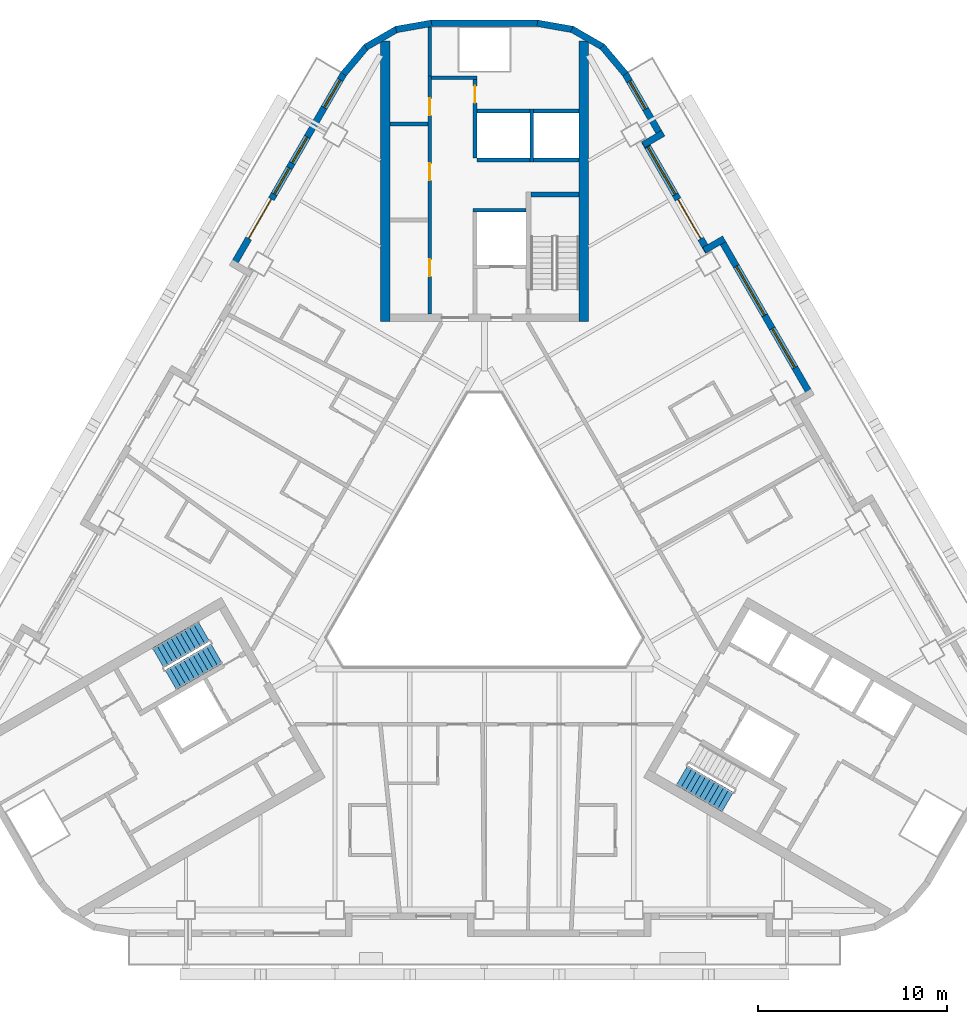
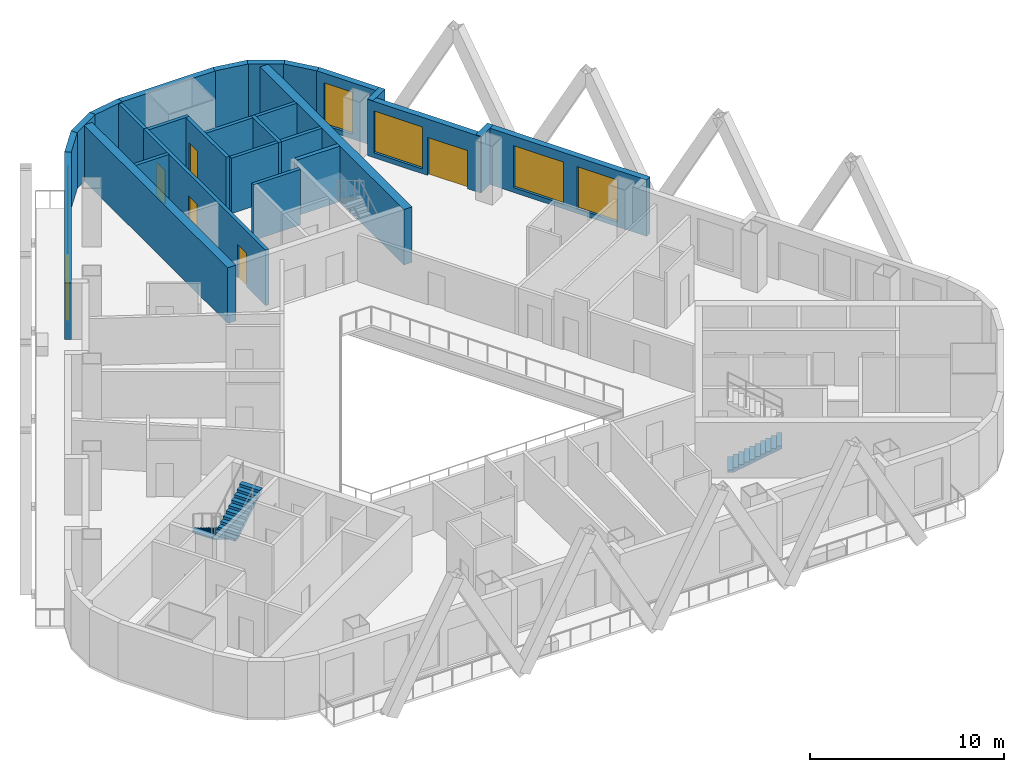
# One storey, part 7 of 14: 27 walls, 7 windows, 6 doors, 3 stair flights, 13 openings, 2 elements without a shape of their own.
"""IFC4 building model written with IfcOpenShell, lengths in metres."""

from ifc_helpers import new_model, si_unit, direction, frame, frame_2d, origin, place, context, subcontext, project, spatial, polyline, rectangle, outline, extrude, material, layer, layer_set, type_object, element, fill, aggregate, save


model = new_model("IFC4")

# Units and contexts
model_context = context("Model", 3, precision=1e-05, world=origin(), true_north=direction((0.0, 1.0)))
body_context = subcontext(model_context, "Body", "Model", "MODEL_VIEW")
ifc_project = project(units=[si_unit("LENGTHUNIT", "METRE"), si_unit("AREAUNIT", "SQUARE_METRE"), si_unit("VOLUMEUNIT", "CUBIC_METRE"), si_unit("PLANEANGLEUNIT", "RADIAN"), si_unit("MASSUNIT", "GRAM", prefix="KILO")], contexts=[model_context])

# Site, building, storey
site_placement = place(None, origin())
site = spatial("IfcSite", under=ifc_project, at=site_placement, CompositionType="ELEMENT")
building_placement = place(site_placement, origin())
building = spatial("IfcBuilding", under=site, at=building_placement, Name="Apuvela Tower Hotel", CompositionType="ELEMENT")
storey_placement = place(building_placement, frame((0.0, 0.0, 76.10009765625)))
storey = spatial("IfcBuildingStorey", under=building, at=storey_placement, Name="L16", CompositionType="ELEMENT", Elevation=76.10009765625)

# Walls
ifc_material_1 = material(Name="Concrete C50/60", Category="concrete")
ifc_layer_1 = layer(ifc_material_1, 0.5)
ifc_layer_set_1 = layer_set([ifc_layer_1], Name="COR-WALL-CORE-500")
wall_type_1 = type_object("IfcWallType", Name="COR-WALL-CORE-500", PredefinedType="SHEAR", material=ifc_layer_set_1)
for number, where, z_axis, x_axis, name in (
    (1, (5.25, 12.89990234375, 0.0), (0.0, 0.0, 1.0), (0.0, 1.0, 0.0), "Core wall N"),
    (2, (-5.25, 12.89990234375, 0.0), (0.0, 0.0, 1.0), (0.0, 1.0, 0.0), "Core wall N"),
):
    element("IfcWall", number, at=place(storey_placement, frame(where, z_axis=z_axis, x_axis=x_axis)), inside=storey, type_object=wall_type_1, Name=name, PredefinedType="SHEAR", context=body_context, shape_type="SweptSolid", body=[
        extrude(rectangle(XDim=14.8369140625, YDim=0.5, at=frame_2d((7.41845703125, 0.0))), origin(), (0.0, 0.0, 1.0), 3.5),
    ])
ifc_material_2 = material(Name="Blockwork 200 mm plastered", Category="masonry")
ifc_layer_2 = layer(ifc_material_2, 0.199951171875)
ifc_layer_set_2 = layer_set([ifc_layer_2], Name="COR-WALL-PART-200")
wall_type_2 = type_object("IfcWallType", Name="COR-WALL-PART-200", PredefinedType="PARTITIONING", material=ifc_layer_set_2)
wall_1_placement = place(storey_placement, frame((5.0, 21.449951171875, 0.0), z_axis=(0.0, 0.0, 1.0), x_axis=(-1.0, 0.0, 0.0)))
element("IfcWall", 3, at=wall_1_placement, inside=storey, type_object=wall_type_2, Name="Partition N", PredefinedType="PARTITIONING", context=body_context, shape_type="SweptSolid", body=[
    extrude(rectangle(XDim=2.39990234375, YDim=0.199951171875, at=frame_2d((1.199951171875, 0.0))), origin(), (0.0, 0.0, 1.0), 3.5),
])
wall_2_placement = place(storey_placement, frame((2.39990234375, 21.449951171875, 0.0), z_axis=(0.0, 0.0, 1.0), x_axis=(-1.0, 0.0, 0.0)))
element("IfcWall", 4, at=wall_2_placement, inside=storey, type_object=wall_type_2, Name="Partition N", PredefinedType="PARTITIONING", context=body_context, shape_type="SweptSolid", body=[
    extrude(rectangle(XDim=2.7998046875, YDim=0.199951171875, at=frame_2d((1.39990234375, 0.0))), origin(), (0.0, 0.0, 1.0), 3.5),
])
ifc_layer_3 = layer(ifc_material_1, 0.199951171875)
ifc_layer_set_3 = layer_set([ifc_layer_3], Name="COR-WALL-SHAFT-200")
wall_type_3 = type_object("IfcWallType", Name="COR-WALL-SHAFT-200", PredefinedType="SHEAR", material=ifc_layer_set_3)
wall_3_placement = place(storey_placement, frame((2.199951171875, 18.800048828125, 0.0), z_axis=(0.0, 0.0, 1.0), x_axis=(-1.0, 0.0, 0.0)))
element("IfcWall", 5, at=wall_3_placement, inside=storey, type_object=wall_type_3, Name="Shaft wall N", PredefinedType="SHEAR", context=body_context, shape_type="SweptSolid", body=[
    extrude(rectangle(XDim=2.800048828125, YDim=0.199951171875, at=frame_2d((1.39990234375, 0.0))), origin(), (0.0, 0.0, 1.0), 3.5),
])

# Wall, openings, doors
wall_4_placement = place(storey_placement, frame((-2.89990234375, 13.300048828125, 0.0), z_axis=(0.0, 0.0, 1.0), x_axis=(0.0, 1.0, 0.0)))
wall_4 = element("IfcWall", 6, at=wall_4_placement, inside=storey, type_object=wall_type_3, Name="Shaft wall N", PredefinedType="SHEAR", context=body_context, shape_type="SweptSolid", body=[
    extrude(rectangle(XDim=12.599853515625, YDim=0.199951171875, at=frame_2d((6.2998046875, 0.0))), origin(), (0.0, 0.0, 1.0), 3.5),
])
opening_1_placement = place(wall_4_placement, frame((1.989990234375, 0.0, 0.0)))
opening_1 = element("IfcOpeningElement", 7, at=opening_1_placement, cuts=wall_4, Name="Opening N-RE1", PredefinedType="OPENING", context=body_context, shape_type="SweptSolid", body=[
    extrude(rectangle(XDim=0.89990234375, YDim=2.10009765625, at=frame_2d((0.449951171875, 1.050048828125))), frame((0.0, 0.10986328125, 0.0), z_axis=(0.0, -1.0, 0.0), x_axis=(1.0, 0.0, 0.0)), (0.0, 0.0, 1.0), 0.219970703125),
])
opening_2_placement = place(wall_4_placement, frame((7.070068359375, 0.0, 0.0)))
opening_2 = element("IfcOpeningElement", 8, at=opening_2_placement, cuts=wall_4, Name="Opening N-RE3", PredefinedType="OPENING", context=body_context, shape_type="SweptSolid", body=[
    extrude(rectangle(XDim=0.89990234375, YDim=2.10009765625, at=frame_2d((0.449951171875, 1.050048828125))), frame((0.0, 0.10986328125, 0.0), z_axis=(0.0, -1.0, 0.0), x_axis=(1.0, 0.0, 0.0)), (0.0, 0.0, 1.0), 0.219970703125),
])
opening_3_placement = place(wall_4_placement, frame((10.510009765625, 0.0, 0.0)))
opening_3 = element("IfcOpeningElement", 9, at=opening_3_placement, cuts=wall_4, Name="Opening N-REP", PredefinedType="OPENING", context=body_context, shape_type="SweptSolid", body=[
    extrude(rectangle(XDim=0.89990234375, YDim=2.10009765625, at=frame_2d((0.449951171875, 1.050048828125))), frame((0.0, 0.10986328125, 0.0), z_axis=(0.0, -1.0, 0.0), x_axis=(1.0, 0.0, 0.0)), (0.0, 0.0, 1.0), 0.219970703125),
])
ifc_material_3 = material(Name="Steel fire door, powder coated", Category="steel")
door_type_1 = type_object("IfcDoorType", Name="COR-DR-900", OperationType="NOTDEFINED", PredefinedType="DOOR", material=ifc_material_3)
door_1_placement = place(opening_1_placement, origin())
door_1 = element("IfcDoor", 10, at=door_1_placement, inside=storey, type_object=door_type_1, Name="Store door N-RE1", OperationType="SINGLE_SWING_LEFT", OverallHeight=2.10009765625, OverallWidth=0.89990234375, PredefinedType="DOOR", context=body_context, shape_type="SweptSolid", body=[
    extrude(rectangle(XDim=0.89990234375, YDim=2.10009765625, at=frame_2d((0.449951171875, 1.050048828125))), frame((0.0, 0.02490234375, 0.0), z_axis=(0.0, -1.0, 0.0), x_axis=(1.0, 0.0, 0.0)), (0.0, 0.0, 1.0), 0.050048828125),
])
fill(opening_1, door_1)
door_2_placement = place(opening_2_placement, origin())
door_2 = element("IfcDoor", 11, at=door_2_placement, inside=storey, type_object=door_type_1, Name="Store door N-RE3", OperationType="SINGLE_SWING_LEFT", OverallHeight=2.10009765625, OverallWidth=0.89990234375, PredefinedType="DOOR", context=body_context, shape_type="SweptSolid", body=[
    extrude(rectangle(XDim=0.89990234375, YDim=2.10009765625, at=frame_2d((0.449951171875, 1.050048828125))), frame((0.0, 0.02490234375, 0.0), z_axis=(0.0, -1.0, 0.0), x_axis=(1.0, 0.0, 0.0)), (0.0, 0.0, 1.0), 0.050048828125),
])
fill(opening_2, door_2)
door_3_placement = place(opening_3_placement, origin())
door_3 = element("IfcDoor", 12, at=door_3_placement, inside=storey, type_object=door_type_1, Name="Store door N-REP", OperationType="SINGLE_SWING_RIGHT", OverallHeight=2.10009765625, OverallWidth=0.89990234375, PredefinedType="DOOR", context=body_context, shape_type="SweptSolid", body=[
    extrude(rectangle(XDim=0.89990234375, YDim=2.10009765625, at=frame_2d((0.449951171875, 1.050048828125))), frame((0.0, 0.02490234375, 0.0), z_axis=(0.0, -1.0, 0.0), x_axis=(1.0, 0.0, 0.0)), (0.0, 0.0, 1.0), 0.050048828125),
])
fill(opening_3, door_3)

# Wall
wall_5_placement = place(storey_placement, frame((-0.39990234375, 25.800048828125, 0.0), z_axis=(0.0, 0.0, 1.0), x_axis=(-1.0, 0.0, 0.0)))
element("IfcWall", 13, at=wall_5_placement, inside=storey, type_object=wall_type_3, Name="Shaft wall N", PredefinedType="SHEAR", context=body_context, shape_type="SweptSolid", body=[
    extrude(rectangle(XDim=2.400146484375, YDim=0.199951171875, at=frame_2d((1.2001953125, 0.0))), origin(), (0.0, 0.0, 1.0), 3.5),
])

# Wall, opening, door
wall_6_placement = place(storey_placement, frame((-0.5, 21.550048828125, 0.0), z_axis=(0.0, 0.0, 1.0), x_axis=(0.0, 1.0, 0.0)))
wall_6 = element("IfcWall", 14, at=wall_6_placement, inside=storey, type_object=wall_type_3, Name="Shaft wall N", PredefinedType="SHEAR", context=body_context, shape_type="SweptSolid", body=[
    extrude(rectangle(XDim=4.14990234375, YDim=0.199951171875, at=frame_2d((2.074951171875, 0.0))), origin(), (0.0, 0.0, 1.0), 3.5),
])
opening_4_placement = place(wall_6_placement, frame((2.925048828125, 0.0, 0.0)))
opening_4 = element("IfcOpeningElement", 15, at=opening_4_placement, cuts=wall_6, Name="Opening N-RSP", PredefinedType="OPENING", context=body_context, shape_type="SweptSolid", body=[
    extrude(rectangle(XDim=0.89990234375, YDim=2.10009765625, at=frame_2d((0.449951171875, 1.050048828125))), frame((0.0, 0.10986328125, 0.0), z_axis=(0.0, -1.0, 0.0), x_axis=(1.0, 0.0, 0.0)), (0.0, 0.0, 1.0), 0.219970703125),
])
door_4_placement = place(opening_4_placement, frame((0.89990234375, 0.0, 0.0), z_axis=(0.0, 0.0, 1.0), x_axis=(-1.0, 0.0, 0.0)))
door_4 = element("IfcDoor", 16, at=door_4_placement, inside=storey, type_object=door_type_1, Name="Store door N-RSP", OperationType="SINGLE_SWING_LEFT", OverallHeight=2.10009765625, OverallWidth=0.89990234375, PredefinedType="DOOR", context=body_context, shape_type="SweptSolid", body=[
    extrude(rectangle(XDim=0.89990234375, YDim=2.10009765625, at=frame_2d((0.449951171875, 1.050048828125))), frame((0.0, 0.02490234375, 0.0), z_axis=(0.0, -1.0, 0.0), x_axis=(1.0, 0.0, 0.0)), (0.0, 0.0, 1.0), 0.050048828125),
])
fill(opening_4, door_4)

# Walls
wall_7_placement = place(storey_placement, frame((-3.0, 23.360107421875, 0.0), z_axis=(0.0, 0.0, 1.0), x_axis=(-1.0, 0.0, 0.0)))
element("IfcWall", 17, at=wall_7_placement, inside=storey, type_object=wall_type_3, Name="Shaft wall N", PredefinedType="SHEAR", context=body_context, shape_type="SweptSolid", body=[
    extrude(rectangle(XDim=2.0, YDim=0.199951171875, at=frame_2d((1.0, 0.0))), origin(), (0.0, 0.0, 1.0), 3.5),
])
wall_8_placement = place(storey_placement, frame((-2.89990234375, 25.89990234375, 0.0), z_axis=(0.0, 0.0, 1.0), x_axis=(0.0, 1.0, 0.0)))
element("IfcWall", 18, at=wall_8_placement, inside=storey, type_object=wall_type_3, Name="Shaft wall N", PredefinedType="SHEAR", context=body_context, shape_type="SweptSolid", body=[
    extrude(rectangle(XDim=2.60009765625, YDim=0.199951171875, at=frame_2d((1.300048828125, 0.0))), origin(), (0.0, 0.0, 1.0), 3.5),
])
wall_9_placement = place(storey_placement, frame((2.5, 21.35009765625, 0.0), z_axis=(0.0, 0.0, 1.0), x_axis=(0.0, 1.0, 0.0)))
element("IfcWall", 19, at=wall_9_placement, inside=storey, type_object=wall_type_3, Name="Shaft wall N", PredefinedType="SHEAR", context=body_context, shape_type="SweptSolid", body=[
    extrude(rectangle(XDim=2.7998046875, YDim=0.199951171875, at=frame_2d((1.39990234375, 0.0))), origin(), (0.0, 0.0, 1.0), 3.5),
])
wall_10_placement = place(storey_placement, frame((5.0, 24.050048828125, 0.0), z_axis=(0.0, 0.0, 1.0), x_axis=(-1.0, 0.0, 0.0)))
element("IfcWall", 20, at=wall_10_placement, inside=storey, type_object=wall_type_3, Name="Shaft wall N", PredefinedType="SHEAR", context=body_context, shape_type="SweptSolid", body=[
    extrude(rectangle(XDim=2.39990234375, YDim=0.199951171875, at=frame_2d((1.199951171875, 0.0))), origin(), (0.0, 0.0, 1.0), 3.5),
])
wall_11_placement = place(storey_placement, frame((2.39990234375, 24.050048828125, 0.0), z_axis=(0.0, 0.0, 1.0), x_axis=(-1.0, 0.0, 0.0)))
element("IfcWall", 21, at=wall_11_placement, inside=storey, type_object=wall_type_3, Name="Shaft wall N", PredefinedType="SHEAR", context=body_context, shape_type="SweptSolid", body=[
    extrude(rectangle(XDim=2.7998046875, YDim=0.199951171875, at=frame_2d((1.39990234375, 0.0))), origin(), (0.0, 0.0, 1.0), 3.5),
])
ifc_layer_4 = layer(ifc_material_1, 0.25)
ifc_layer_set_4 = layer_set([ifc_layer_4], Name="COR-WALL-STAIR-250")
wall_type_4 = type_object("IfcWallType", Name="COR-WALL-STAIR-250", PredefinedType="SHEAR", material=ifc_layer_set_4)
wall_12_placement = place(storey_placement, frame((5.0, 19.625, 0.0), z_axis=(0.0, 0.0, 1.0), x_axis=(-1.0, 0.0, 0.0)))
element("IfcWall", 22, at=wall_12_placement, inside=storey, type_object=wall_type_4, Name="Stair wall N", PredefinedType="SHEAR", context=body_context, shape_type="SweptSolid", body=[
    extrude(rectangle(XDim=2.550048828125, YDim=0.25, at=frame_2d((1.27490234375, 0.0))), origin(), (0.0, 0.0, 1.0), 3.5),
])

# Wall, openings, door, windows
ifc_material_4 = material(Name="Concrete C40/50, dark pigmented precast panel", Category="concrete")
ifc_layer_5 = layer(ifc_material_4, 0.35009765625)
ifc_layer_set_5 = layer_set([ifc_layer_5], Name="ENV-WALL-350")
wall_type_5 = type_object("IfcWallType", Name="ENV-WALL-350", PredefinedType="SOLIDWALL", material=ifc_layer_set_5)
wall_13_placement = place(storey_placement, frame((-7.440673828125, 26.0224609375, 0.0), z_axis=(0.0, 0.0, 1.0), x_axis=(-0.499992533062, -0.86602971478, 0.0)))
wall_13 = element("IfcWall", 23, at=wall_13_placement, inside=storey, type_object=wall_type_5, Name="External wall L16-01", PredefinedType="SOLIDWALL", context=body_context, shape_type="SweptSolid", body=[
    extrude(rectangle(XDim=11.815673828125, YDim=0.35009765625, at=frame_2d((5.90771484375, 0.0))), origin(), (0.0, 0.0, 1.0), 3.5498046875),
])
opening_5_placement = place(wall_13_placement, frame((0.381103515625, 0.0, 0.300048828125)))
opening_5 = element("IfcOpeningElement", 24, at=opening_5_placement, cuts=wall_13, Name="Opening WN17", PredefinedType="OPENING", context=body_context, shape_type="SweptSolid", body=[
    extrude(rectangle(XDim=1.699951171875, YDim=2.64990234375, at=frame_2d((0.85009765625, 1.324951171875))), frame((0.0, 0.18505859375, 0.0), z_axis=(0.0, -1.0, 0.0), x_axis=(1.0, 0.0, 0.0)), (0.0, 0.0, 1.0), 0.3701171875),
])
opening_6_placement = place(wall_13_placement, frame((7.66552734375, 0.0, 0.0)))
opening_6 = element("IfcOpeningElement", 25, at=opening_6_placement, cuts=wall_13, Name="Opening BD24", PredefinedType="OPENING", context=body_context, shape_type="SweptSolid", body=[
    extrude(rectangle(XDim=2.39990234375, YDim=2.39990234375, at=frame_2d((1.199951171875, 1.199951171875))), frame((0.0, 0.18505859375, 0.0), z_axis=(0.0, -1.0, 0.0), x_axis=(1.0, 0.0, 0.0)), (0.0, 0.0, 1.0), 0.3701171875),
])
opening_7_placement = place(wall_13_placement, frame((3.865478515625, 0.0, 0.300048828125)))
opening_7 = element("IfcOpeningElement", 26, at=opening_7_placement, cuts=wall_13, Name="Opening WN16", PredefinedType="OPENING", context=body_context, shape_type="SweptSolid", body=[
    extrude(rectangle(XDim=1.60009765625, YDim=2.64990234375, at=frame_2d((0.800048828125, 1.324951171875))), frame((0.0, 0.18505859375, 0.0), z_axis=(0.0, -1.0, 0.0), x_axis=(1.0, 0.0, 0.0)), (0.0, 0.0, 1.0), 0.3701171875),
])
opening_8_placement = place(wall_13_placement, frame((5.765380859375, 0.0, 0.300048828125)))
opening_8 = element("IfcOpeningElement", 27, at=opening_8_placement, cuts=wall_13, Name="Opening WN16", PredefinedType="OPENING", context=body_context, shape_type="SweptSolid", body=[
    extrude(rectangle(XDim=1.60009765625, YDim=2.64990234375, at=frame_2d((0.800048828125, 1.324951171875))), frame((0.0, 0.18505859375, 0.0), z_axis=(0.0, -1.0, 0.0), x_axis=(1.0, 0.0, 0.0)), (0.0, 0.0, 1.0), 0.3701171875),
])
ifc_material_5 = material(Name="Aluminium 6063-T6, dark bronze anodised frame with dark tinted laminated glass", Category="aluminium")
door_type_2 = type_object("IfcDoorType", Name="ENV-DOOR-BALCONY-2400x2400", OperationType="SLIDING_TO_LEFT", PredefinedType="DOOR", material=ifc_material_5)
door_5_placement = place(opening_6_placement, frame((2.39990234375, 0.0, 0.0), z_axis=(0.0, 0.0, 1.0), x_axis=(-1.0, 0.0, 0.0)))
door_5 = element("IfcDoor", 28, at=door_5_placement, inside=storey, type_object=door_type_2, Name="Balcony door BD24", OperationType="SLIDING_TO_LEFT", OverallHeight=2.39990234375, OverallWidth=2.39990234375, PredefinedType="DOOR", context=body_context, shape_type="SweptSolid", body=[
    extrude(rectangle(XDim=2.39990234375, YDim=2.39990234375, at=frame_2d((1.199951171875, 1.199951171875))), frame((0.0, 0.02490234375, 0.0), z_axis=(0.0, -1.0, 0.0), x_axis=(1.0, 0.0, 0.0)), (0.0, 0.0, 1.0), 0.050048828125),
])
fill(opening_6, door_5)
ifc_material_6 = material(Name="Glass, dark tinted laminated insulated glazing unit", Category="glass")
window_type_1 = type_object("IfcWindowType", Name="ENV-WIN-1600x2650", PartitioningType="SINGLE_PANEL", PredefinedType="WINDOW", material=ifc_material_6)
window_1_placement = place(opening_7_placement, origin())
window_1 = element("IfcWindow", 29, at=window_1_placement, inside=storey, type_object=window_type_1, Name="Window WN16", OverallHeight=2.64990234375, OverallWidth=1.60009765625, PartitioningType="SINGLE_PANEL", PredefinedType="WINDOW", context=body_context, shape_type="SweptSolid", body=[
    extrude(rectangle(XDim=1.60009765625, YDim=2.64990234375, at=frame_2d((0.800048828125, 1.324951171875))), frame((0.0, 0.030029296875, 0.0), z_axis=(0.0, -1.0, 0.0), x_axis=(1.0, 0.0, 0.0)), (0.0, 0.0, 1.0), 0.06005859375),
])
fill(opening_7, window_1)
window_2_placement = place(opening_8_placement, origin())
window_2 = element("IfcWindow", 30, at=window_2_placement, inside=storey, type_object=window_type_1, Name="Window WN16", OverallHeight=2.64990234375, OverallWidth=1.60009765625, PartitioningType="SINGLE_PANEL", PredefinedType="WINDOW", context=body_context, shape_type="SweptSolid", body=[
    extrude(rectangle(XDim=1.60009765625, YDim=2.64990234375, at=frame_2d((0.800048828125, 1.324951171875))), frame((0.0, 0.030029296875, 0.0), z_axis=(0.0, -1.0, 0.0), x_axis=(1.0, 0.0, 0.0)), (0.0, 0.0, 1.0), 0.06005859375),
])
fill(opening_8, window_2)
window_type_2 = type_object("IfcWindowType", Name="ENV-WIN-1700x2650", PartitioningType="SINGLE_PANEL", PredefinedType="WINDOW", material=ifc_material_6)
window_3_placement = place(opening_5_placement, origin())
window_3 = element("IfcWindow", 31, at=window_3_placement, inside=storey, type_object=window_type_2, Name="Window WN17", OverallHeight=2.64990234375, OverallWidth=1.699951171875, PartitioningType="SINGLE_PANEL", PredefinedType="WINDOW", context=body_context, shape_type="SweptSolid", body=[
    extrude(rectangle(XDim=1.699951171875, YDim=2.64990234375, at=frame_2d((0.85009765625, 1.324951171875))), frame((0.0, 0.030029296875, 0.0), z_axis=(0.0, -1.0, 0.0), x_axis=(1.0, 0.0, 0.0)), (0.0, 0.0, 1.0), 0.06005859375),
])
fill(opening_5, window_3)

# Wall, openings, windows
wall_14_placement = place(storey_placement, frame((17.298583984375, 8.947998046875, 0.0), z_axis=(0.0, 0.0, 1.0), x_axis=(-0.500010041276, 0.866019606374, 0.0)))
wall_14 = element("IfcWall", 32, at=wall_14_placement, inside=storey, type_object=wall_type_5, Name="External wall L16-37", PredefinedType="SOLIDWALL", context=body_context, shape_type="SweptSolid", body=[
    extrude(rectangle(XDim=9.699951171875, YDim=0.35009765625, at=frame_2d((4.85009765625, 0.0))), origin(), (0.0, 0.0, 1.0), 3.5498046875),
])
opening_9_placement = place(wall_14_placement, frame((1.75, 0.0, 0.300048828125)))
opening_9 = element("IfcOpeningElement", 33, at=opening_9_placement, cuts=wall_14, Name="Opening WN24", PredefinedType="OPENING", context=body_context, shape_type="SweptSolid", body=[
    extrude(rectangle(XDim=2.39990234375, YDim=2.64990234375, at=frame_2d((1.199951171875, 1.324951171875))), frame((0.0, 0.18505859375, 0.0), z_axis=(0.0, -1.0, 0.0), x_axis=(1.0, 0.0, 0.0)), (0.0, 0.0, 1.0), 0.3701171875),
])
opening_10_placement = place(wall_14_placement, frame((4.94921875, 0.0, 0.300048828125)))
opening_10 = element("IfcOpeningElement", 34, at=opening_10_placement, cuts=wall_14, Name="Opening WN30", PredefinedType="OPENING", context=body_context, shape_type="SweptSolid", body=[
    extrude(rectangle(XDim=3.0, YDim=2.64990234375, at=frame_2d((1.5, 1.324951171875))), frame((0.0, 0.18505859375, 0.0), z_axis=(0.0, -1.0, 0.0), x_axis=(1.0, 0.0, 0.0)), (0.0, 0.0, 1.0), 0.3701171875),
])
window_type_3 = type_object("IfcWindowType", Name="ENV-WIN-2400x2650", PartitioningType="SINGLE_PANEL", PredefinedType="WINDOW", material=ifc_material_6)
window_4_placement = place(opening_9_placement, origin())
window_4 = element("IfcWindow", 35, at=window_4_placement, inside=storey, type_object=window_type_3, Name="Window WN24", OverallHeight=2.64990234375, OverallWidth=2.39990234375, PartitioningType="SINGLE_PANEL", PredefinedType="WINDOW", context=body_context, shape_type="SweptSolid", body=[
    extrude(rectangle(XDim=2.39990234375, YDim=2.64990234375, at=frame_2d((1.199951171875, 1.324951171875))), frame((0.0, 0.030029296875, 0.0), z_axis=(0.0, -1.0, 0.0), x_axis=(1.0, 0.0, 0.0)), (0.0, 0.0, 1.0), 0.06005859375),
])
fill(opening_9, window_4)
window_type_4 = type_object("IfcWindowType", Name="ENV-WIN-3000x2650", PartitioningType="SINGLE_PANEL", PredefinedType="WINDOW", material=ifc_material_6)
window_5_placement = place(opening_10_placement, origin())
window_5 = element("IfcWindow", 36, at=window_5_placement, inside=storey, type_object=window_type_4, Name="Window WN30", OverallHeight=2.64990234375, OverallWidth=3.0, PartitioningType="SINGLE_PANEL", PredefinedType="WINDOW", context=body_context, shape_type="SweptSolid", body=[
    extrude(rectangle(XDim=3.0, YDim=2.64990234375, at=frame_2d((1.5, 1.324951171875))), frame((0.0, 0.030029296875, 0.0), z_axis=(0.0, -1.0, 0.0), x_axis=(1.0, 0.0, 0.0)), (0.0, 0.0, 1.0), 0.06005859375),
])
fill(opening_10, window_5)

# Wall
wall_15_placement = place(storey_placement, frame((12.6875, 17.284423828125, 0.0), z_axis=(0.0, 0.0, 1.0), x_axis=(-0.865955602162, -0.500120880472, 0.0)))
element("IfcWall", 37, at=wall_15_placement, inside=storey, type_object=wall_type_5, Name="External wall L16-38", PredefinedType="SOLIDWALL", context=body_context, shape_type="SweptSolid", body=[
    extrude(rectangle(XDim=1.219970703125, YDim=0.35009765625, at=frame_2d((0.60986328125, 0.0))), origin(), (0.0, 0.0, 1.0), 3.5498046875),
])

# Wall, openings, door, window
wall_16_placement = place(storey_placement, frame((11.8291015625, 16.621337890625, 0.0), z_axis=(0.0, 0.0, 1.0), x_axis=(-0.500003597184, 0.866023326939, 0.0)))
wall_16 = element("IfcWall", 38, at=wall_16_placement, inside=storey, type_object=wall_type_5, Name="External wall L16-39", PredefinedType="SOLIDWALL", context=body_context, shape_type="SweptSolid", body=[
    extrude(rectangle(XDim=6.740234375, YDim=0.35009765625, at=frame_2d((3.3701171875, 0.0))), origin(), (0.0, 0.0, 1.0), 3.5498046875),
])
opening_11_placement = place(wall_16_placement, frame((0.77001953125, 0.0, 0.0)))
opening_11 = element("IfcOpeningElement", 39, at=opening_11_placement, cuts=wall_16, Name="Opening BD24", PredefinedType="OPENING", context=body_context, shape_type="SweptSolid", body=[
    extrude(rectangle(XDim=2.39990234375, YDim=2.39990234375, at=frame_2d((1.199951171875, 1.199951171875))), frame((0.0, 0.18505859375, 0.0), z_axis=(0.0, -1.0, 0.0), x_axis=(1.0, 0.0, 0.0)), (0.0, 0.0, 1.0), 0.3701171875),
])
opening_12_placement = place(wall_16_placement, frame((3.469970703125, 0.0, 0.300048828125)))
opening_12 = element("IfcOpeningElement", 40, at=opening_12_placement, cuts=wall_16, Name="Opening WN29", PredefinedType="OPENING", context=body_context, shape_type="SweptSolid", body=[
    extrude(rectangle(XDim=2.89990234375, YDim=2.64990234375, at=frame_2d((1.449951171875, 1.324951171875))), frame((0.0, 0.18505859375, 0.0), z_axis=(0.0, -1.0, 0.0), x_axis=(1.0, 0.0, 0.0)), (0.0, 0.0, 1.0), 0.3701171875),
])
door_6_placement = place(opening_11_placement, frame((2.39990234375, 0.0, 0.0), z_axis=(0.0, 0.0, 1.0), x_axis=(-1.0, 0.0, 0.0)))
door_6 = element("IfcDoor", 41, at=door_6_placement, inside=storey, type_object=door_type_2, Name="Balcony door BD24", OperationType="SLIDING_TO_LEFT", OverallHeight=2.39990234375, OverallWidth=2.39990234375, PredefinedType="DOOR", context=body_context, shape_type="SweptSolid", body=[
    extrude(rectangle(XDim=2.39990234375, YDim=2.39990234375, at=frame_2d((1.199951171875, 1.199951171875))), frame((0.0, 0.02490234375, 0.0), z_axis=(0.0, -1.0, 0.0), x_axis=(1.0, 0.0, 0.0)), (0.0, 0.0, 1.0), 0.050048828125),
])
fill(opening_11, door_6)
window_type_5 = type_object("IfcWindowType", Name="ENV-WIN-2900x2650", PartitioningType="SINGLE_PANEL", PredefinedType="WINDOW", material=ifc_material_6)
window_6_placement = place(opening_12_placement, origin())
window_6 = element("IfcWindow", 42, at=window_6_placement, inside=storey, type_object=window_type_5, Name="Window WN29", OverallHeight=2.64990234375, OverallWidth=2.89990234375, PartitioningType="SINGLE_PANEL", PredefinedType="WINDOW", context=body_context, shape_type="SweptSolid", body=[
    extrude(rectangle(XDim=2.89990234375, YDim=2.64990234375, at=frame_2d((1.449951171875, 1.324951171875))), frame((0.0, 0.030029296875, 0.0), z_axis=(0.0, -1.0, 0.0), x_axis=(1.0, 0.0, 0.0)), (0.0, 0.0, 1.0), 0.06005859375),
])
fill(opening_12, window_6)

# Wall
wall_17_placement = place(storey_placement, frame((8.406005859375, 22.26025390625, 0.0), z_axis=(0.0, 0.0, 1.0), x_axis=(0.865955602162, 0.500120880472, 0.0)))
element("IfcWall", 43, at=wall_17_placement, inside=storey, type_object=wall_type_5, Name="External wall L16-40", PredefinedType="SOLIDWALL", context=body_context, shape_type="SweptSolid", body=[
    extrude(rectangle(XDim=1.219970703125, YDim=0.35009765625, at=frame_2d((0.60986328125, 0.0))), origin(), (0.0, 0.0, 1.0), 3.5498046875),
])

# Wall, opening, window
wall_18_placement = place(storey_placement, frame((9.3984375, 22.631103515625, 0.0), z_axis=(0.0, 0.0, 1.0), x_axis=(-0.499954521343, 0.866051659307, 0.0)))
wall_18 = element("IfcWall", 44, at=wall_18_placement, inside=storey, type_object=wall_type_5, Name="External wall L16-41", PredefinedType="SOLIDWALL", context=body_context, shape_type="SweptSolid", body=[
    extrude(rectangle(XDim=3.915771484375, YDim=0.35009765625, at=frame_2d((1.9580078125, 0.0))), origin(), (0.0, 0.0, 1.0), 3.5498046875),
])
opening_13_placement = place(wall_18_placement, frame((1.749755859375, 0.0, 0.300048828125)))
opening_13 = element("IfcOpeningElement", 45, at=opening_13_placement, cuts=wall_18, Name="Opening WN17", PredefinedType="OPENING", context=body_context, shape_type="SweptSolid", body=[
    extrude(rectangle(XDim=1.699951171875, YDim=2.64990234375, at=frame_2d((0.85009765625, 1.324951171875))), frame((0.0, 0.18505859375, 0.0), z_axis=(0.0, -1.0, 0.0), x_axis=(1.0, 0.0, 0.0)), (0.0, 0.0, 1.0), 0.3701171875),
])
window_7_placement = place(opening_13_placement, origin())
window_7 = element("IfcWindow", 46, at=window_7_placement, inside=storey, type_object=window_type_2, Name="Window WN17", OverallHeight=2.64990234375, OverallWidth=1.699951171875, PartitioningType="SINGLE_PANEL", PredefinedType="WINDOW", context=body_context, shape_type="SweptSolid", body=[
    extrude(rectangle(XDim=1.699951171875, YDim=2.64990234375, at=frame_2d((0.85009765625, 1.324951171875))), frame((0.0, 0.030029296875, 0.0), z_axis=(0.0, -1.0, 0.0), x_axis=(1.0, 0.0, 0.0)), (0.0, 0.0, 1.0), 0.06005859375),
])
fill(opening_13, window_7)

# Walls
wall_19_placement = place(storey_placement, frame((7.4580078125, 25.99755859375, 0.0), z_axis=(0.0, 0.0, 1.0), x_axis=(-0.642808304945, 0.766027077259, 0.0)))
element("IfcWall", 47, at=wall_19_placement, inside=storey, type_object=wall_type_5, Name="External wall L16-42", PredefinedType="SOLIDWALL", context=body_context, shape_type="SweptSolid", body=[
    extrude(rectangle(XDim=1.909912109375, YDim=0.35009765625, at=frame_2d((0.955078125, 0.0))), origin(), (0.0, 0.0, 1.0), 3.5498046875),
])
for number, where, z_axis, x_axis, name in (
    (48, (6.27685546875, 27.421630859375, 0.0), (0.0, 0.0, 1.0), (-0.866032345022, 0.499987977232, 0.0), "External wall L16-43"),
    (49, (4.6796875, 28.35595703125, 0.0), (0.0, 0.0, 1.0), (-0.984798995425, 0.173697837091, 0.0), "External wall L16-44"),
):
    element("IfcWall", number, at=place(storey_placement, frame(where, z_axis=z_axis, x_axis=x_axis)), inside=storey, type_object=wall_type_5, Name=name, PredefinedType="SOLIDWALL", context=body_context, shape_type="SweptSolid", body=[
        extrude(rectangle(XDim=1.91015625, YDim=0.35009765625, at=frame_2d((0.955078125, 0.0))), origin(), (0.0, 0.0, 1.0), 3.5498046875),
    ])
wall_20_placement = place(storey_placement, frame((2.8291015625, 28.68505859375, 0.0), z_axis=(0.0, 0.0, 1.0), x_axis=(-1.0, 0.0, 0.0)))
element("IfcWall", 50, at=wall_20_placement, inside=storey, type_object=wall_type_5, Name="External wall L16-45", PredefinedType="SOLIDWALL", context=body_context, shape_type="SweptSolid", body=[
    extrude(rectangle(XDim=5.658203125, YDim=0.35009765625, at=frame_2d((2.8291015625, 0.0))), origin(), (0.0, 0.0, 1.0), 3.5498046875),
])
for number, where, z_axis, x_axis, name in (
    (51, (-2.798583984375, 28.687744140625, 0.0), (0.0, 0.0, 1.0), (-0.984798995425, -0.173697837091, 0.0), "External wall L16-46"),
    (52, (-4.62255859375, 28.376708984375, 0.0), (0.0, 0.0, 1.0), (-0.866032345022, -0.499987977232, 0.0), "External wall L16-47"),
):
    element("IfcWall", number, at=place(storey_placement, frame(where, z_axis=z_axis, x_axis=x_axis)), inside=storey, type_object=wall_type_5, Name=name, PredefinedType="SOLIDWALL", context=body_context, shape_type="SweptSolid", body=[
        extrude(rectangle(XDim=1.91015625, YDim=0.35009765625, at=frame_2d((0.955078125, 0.0))), origin(), (0.0, 0.0, 1.0), 3.5498046875),
    ])
wall_21_placement = place(storey_placement, frame((-6.230224609375, 27.460693359375, 0.0), z_axis=(0.0, 0.0, 1.0), x_axis=(-0.642808304945, -0.766027077259, 0.0)))
element("IfcWall", 53, at=wall_21_placement, inside=storey, type_object=wall_type_5, Name="External wall L16-48", PredefinedType="SOLIDWALL", context=body_context, shape_type="SweptSolid", body=[
    extrude(rectangle(XDim=1.909912109375, YDim=0.35009765625, at=frame_2d((0.955078125, 0.0))), origin(), (0.0, 0.0, 1.0), 3.5498046875),
])

# Stair, stair flights
stair_type = type_object("IfcStairType", Name="COR-STAIR-22R", PredefinedType="HALF_TURN_STAIR", material=ifc_material_1)
stair_1_placement = place(storey_placement, origin())
stair_1 = element("IfcStair", 54, at=stair_1_placement, inside=storey, type_object=stair_type, Name="L16 Exit stair ST2", PredefinedType="HALF_TURN_STAIR")
stair_flight_type = type_object("IfcStairFlightType", Name="COR-FLIGHT-11R", PredefinedType="STRAIGHT", material=ifc_material_1)
stair_flight_1_placement = place(storey_placement, frame((-14.843994140625, -3.489501953125, 0.0), z_axis=(0.0, 0.0, 1.0), x_axis=(-0.866025403784, -0.5, 0.0)))
stair_flight_1 = element("IfcStairFlight", 55, at=stair_flight_1_placement, type_object=stair_flight_type, Name="ST2 flight 1", NumberOfRisers=11, NumberOfTreads=10, PredefinedType="STRAIGHT", RiserHeight=0.168181818, TreadLength=0.28, context=body_context, shape_type="SweptSolid", body=[
    extrude(outline(polyline([(0.0, 0.0), (0.0, 0.168212890625), (0.280029296875, 0.168212890625), (0.280029296875, 0.33642578125), (0.56005859375, 0.33642578125), (0.56005859375, 0.504638671875), (0.840087890625, 0.504638671875), (0.840087890625, 0.672607421875), (1.1201171875, 0.672607421875), (1.1201171875, 0.8408203125), (1.39990234375, 0.8408203125), (1.39990234375, 1.009033203125), (1.679931640625, 1.009033203125), (1.679931640625, 1.17724609375), (1.9599609375, 1.17724609375), (1.9599609375, 1.345458984375), (2.239990234375, 1.345458984375), (2.239990234375, 1.513671875), (2.52001953125, 1.513671875), (2.52001953125, 1.681884765625), (2.800048828125, 1.681884765625), (2.800048828125, 1.85009765625), (2.800048828125, 1.5068359375), (0.291015625, 0.0), (0.0, 0.0)])), frame((0.0, 0.60009765625, 0.0), z_axis=(0.0, -1.0, 0.0), x_axis=(1.0, 0.0, 0.0)), (0.0, 0.0, 1.0), 1.199951171875),
])
stair_flight_2_placement = place(storey_placement, frame((-16.59375, -6.05859375, 1.849853515625), z_axis=(0.0, 0.0, 1.0), x_axis=(0.866025403784, 0.5, 0.0)))
stair_flight_2 = element("IfcStairFlight", 56, at=stair_flight_2_placement, type_object=stair_flight_type, Name="ST2 flight 2", NumberOfRisers=11, NumberOfTreads=10, PredefinedType="STRAIGHT", RiserHeight=0.168181818, TreadLength=0.28, context=body_context, shape_type="SweptSolid", body=[
    extrude(outline(polyline([(0.0, 0.0), (0.0, 0.168212890625), (0.280029296875, 0.168212890625), (0.280029296875, 0.33642578125), (0.56005859375, 0.33642578125), (0.56005859375, 0.504638671875), (0.840087890625, 0.504638671875), (0.840087890625, 0.672607421875), (1.1201171875, 0.672607421875), (1.1201171875, 0.8408203125), (1.39990234375, 0.8408203125), (1.39990234375, 1.009033203125), (1.679931640625, 1.009033203125), (1.679931640625, 1.17724609375), (1.9599609375, 1.17724609375), (1.9599609375, 1.345458984375), (2.239990234375, 1.345458984375), (2.239990234375, 1.513671875), (2.52001953125, 1.513671875), (2.52001953125, 1.681884765625), (2.800048828125, 1.681884765625), (2.800048828125, 1.85009765625), (2.800048828125, 1.5068359375), (0.291015625, 0.0), (0.0, 0.0)])), frame((0.0, 0.60009765625, 0.0), z_axis=(0.0, -1.0, 0.0), x_axis=(1.0, 0.0, 0.0)), (0.0, 0.0, 1.0), 1.199951171875),
])
aggregate(stair_1, [stair_flight_1, stair_flight_2])

# Stair, stair flight
stair_2_placement = place(storey_placement, origin())
stair_2 = element("IfcStair", 57, at=stair_2_placement, inside=storey, type_object=stair_type, Name="L16 Exit stair ST3", PredefinedType="HALF_TURN_STAIR")
stair_flight_3_placement = place(storey_placement, frame((10.444091796875, -11.110595703125, 0.0), z_axis=(0.0, 0.0, 1.0), x_axis=(0.866025403784, -0.5, 0.0)))
stair_flight_3 = element("IfcStairFlight", 58, at=stair_flight_3_placement, type_object=stair_flight_type, Name="ST3 flight 1", NumberOfRisers=11, NumberOfTreads=10, PredefinedType="STRAIGHT", RiserHeight=0.168181818, TreadLength=0.28, context=body_context, shape_type="SweptSolid", body=[
    extrude(outline(polyline([(0.0, 0.0), (0.0, 0.168212890625), (0.280029296875, 0.168212890625), (0.280029296875, 0.33642578125), (0.56005859375, 0.33642578125), (0.56005859375, 0.504638671875), (0.840087890625, 0.504638671875), (0.840087890625, 0.672607421875), (1.1201171875, 0.672607421875), (1.1201171875, 0.8408203125), (1.39990234375, 0.8408203125), (1.39990234375, 1.009033203125), (1.679931640625, 1.009033203125), (1.679931640625, 1.17724609375), (1.9599609375, 1.17724609375), (1.9599609375, 1.345458984375), (2.239990234375, 1.345458984375), (2.239990234375, 1.513671875), (2.52001953125, 1.513671875), (2.52001953125, 1.681884765625), (2.800048828125, 1.681884765625), (2.800048828125, 1.85009765625), (2.800048828125, 1.5068359375), (0.291015625, 0.0), (0.0, 0.0)])), frame((0.0, 0.60009765625, 0.0), z_axis=(0.0, -1.0, 0.0), x_axis=(1.0, 0.0, 0.0)), (0.0, 0.0, 1.0), 1.199951171875),
])
aggregate(stair_2, [stair_flight_3])

save(model, "model.ifc")
